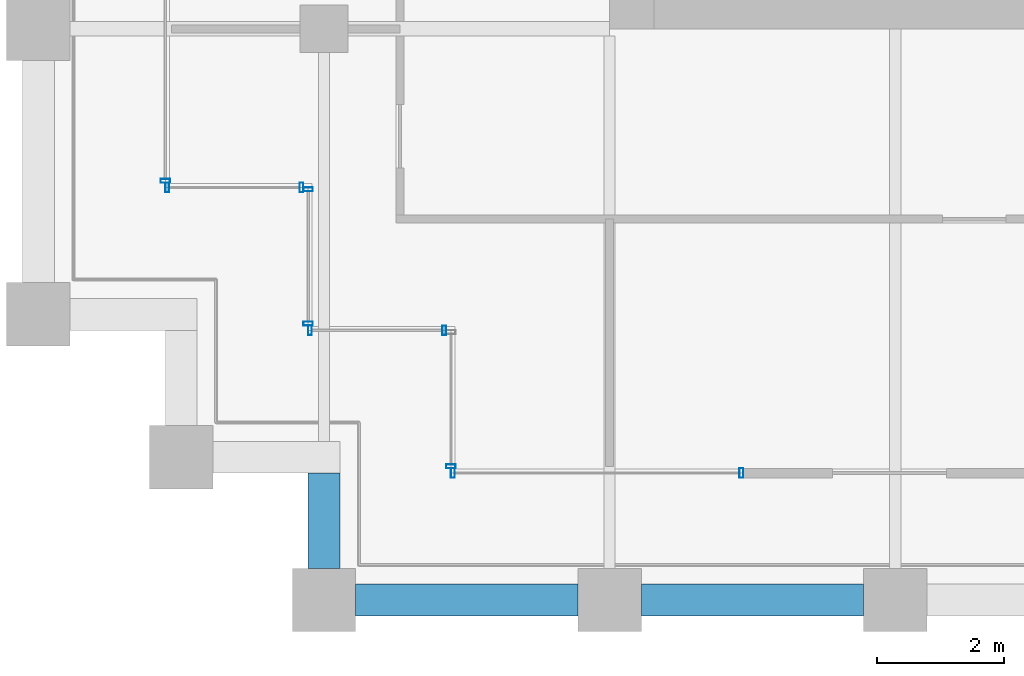
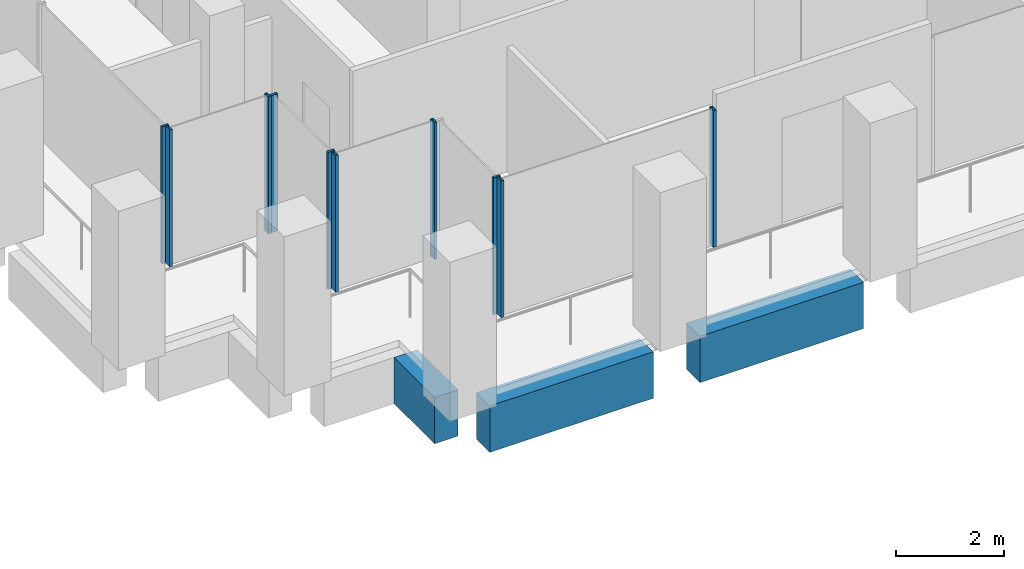
# One storey, part 28 of 46: 10 members, 3 beams, 6 elements without a shape of their own.
"""IFC4 building model written with IfcOpenShell, lengths in metres."""

from ifc_helpers import new_model, si_unit, direction, frame, origin, origin_2d, place, context, subcontext, project, spatial, rectangle, hollow_rectangle, extrude, material, material_profile, profile_set, type_object, element, aggregate, save


model = new_model("IFC4")

# Units and contexts
model_context = context("Model", 3, precision=1e-05, world=origin(), true_north=direction((0.0, 1.0)))
body_context = subcontext(model_context, "Body", "Model", "MODEL_VIEW")
ifc_project = project(units=[si_unit("LENGTHUNIT", "METRE"), si_unit("AREAUNIT", "SQUARE_METRE"), si_unit("VOLUMEUNIT", "CUBIC_METRE"), si_unit("PLANEANGLEUNIT", "RADIAN"), si_unit("MASSUNIT", "GRAM", prefix="KILO")], contexts=[model_context])

# Site, building, storey
site_placement = place(None, origin())
site = spatial("IfcSite", under=ifc_project, at=site_placement, CompositionType="ELEMENT")
building_placement = place(site_placement, origin())
building = spatial("IfcBuilding", under=site, at=building_placement, Name="Altepetl Exchange Towers", CompositionType="ELEMENT")
storey_placement = place(building_placement, frame((0.0, 0.0, 128.0)))
storey = spatial("IfcBuildingStorey", under=building, at=storey_placement, Name="L31", CompositionType="ELEMENT", Elevation=128.0)

# Curtain wall, member
ifc_material_1 = material(Name="Aluminium 6063-T6 glazing", Category="aluminium")
curtain_wall_type = type_object("IfcCurtainWallType", Name="Loggia glazing system", PredefinedType="NOTDEFINED", material=ifc_material_1)
curtain_wall_1_placement = place(storey_placement, origin())
curtain_wall_1 = element("IfcCurtainWall", 1, at=curtain_wall_1_placement, inside=storey, type_object=curtain_wall_type, Name="CW1 run", PredefinedType="NOTDEFINED")
ifc_material_2 = material(Name="Aluminium 6063-T6", Category="aluminium")
ifc_material_profile_1 = material_profile(ifc_material_2, hollow_rectangle(XDim=0.06005859375, YDim=0.14990234375, WallThickness=0.0029296875, at=origin_2d()), Name="Mullion 60x150 aluminium")
ifc_profile_set_1 = profile_set([ifc_material_profile_1], Name="Aluminium 6063-T6")
member_type = type_object("IfcMemberType", Name="Mullion 60x150 aluminium", PredefinedType="MULLION", material=ifc_profile_set_1)
member_1_placement = place(storey_placement, frame((96.5, 33.60498046875, 0.0), z_axis=(0.0, 0.0, 1.0), x_axis=(0.0, -1.0, 0.0)))
member_1 = element("IfcMember", 2, at=member_1_placement, type_object=member_type, Name="MU1 mullion", PredefinedType="MULLION", context=body_context, shape_type="SweptSolid", body=[
    extrude(hollow_rectangle(XDim=0.06005859375, YDim=0.14990234375, WallThickness=0.0029296875, at=origin_2d()), origin(), (0.0, 0.0, 1.0), 3.10009765625),
])
aggregate(curtain_wall_1, [member_1])

# Curtain wall, members
curtain_wall_2_placement = place(storey_placement, origin())
curtain_wall_2 = element("IfcCurtainWall", 3, at=curtain_wall_2_placement, inside=storey, type_object=curtain_wall_type, Name="CW1 run", PredefinedType="NOTDEFINED")
member_2_placement = place(storey_placement, frame((96.530029296875, 33.5, 0.0)))
member_2 = element("IfcMember", 4, at=member_2_placement, type_object=member_type, Name="MU1 mullion", PredefinedType="MULLION", context=body_context, shape_type="SweptSolid", body=[
    extrude(hollow_rectangle(XDim=0.06005859375, YDim=0.14990234375, WallThickness=0.0029296875, at=origin_2d()), origin(), (0.0, 0.0, 1.0), 3.10009765625),
])
member_3_placement = place(storey_placement, frame((98.64501953125, 33.5, 0.0)))
member_3 = element("IfcMember", 5, at=member_3_placement, type_object=member_type, Name="MU1 mullion", PredefinedType="MULLION", context=body_context, shape_type="SweptSolid", body=[
    extrude(hollow_rectangle(XDim=0.06005859375, YDim=0.14990234375, WallThickness=0.0029296875, at=origin_2d()), origin(), (0.0, 0.0, 1.0), 3.10009765625),
])
aggregate(curtain_wall_2, [member_2, member_3])

curtain_wall_3_placement = place(storey_placement, origin())
curtain_wall_3 = element("IfcCurtainWall", 6, at=curtain_wall_3_placement, inside=storey, type_object=curtain_wall_type, Name="CW1 run", PredefinedType="NOTDEFINED")
member_4_placement = place(storey_placement, frame((98.75, 33.469970703125, 0.0), z_axis=(0.0, 0.0, 1.0), x_axis=(0.0, -1.0, 0.0)))
member_4 = element("IfcMember", 7, at=member_4_placement, type_object=member_type, Name="MU1 mullion", PredefinedType="MULLION", context=body_context, shape_type="SweptSolid", body=[
    extrude(hollow_rectangle(XDim=0.06005859375, YDim=0.14990234375, WallThickness=0.0029296875, at=origin_2d()), origin(), (0.0, 0.0, 1.0), 3.10009765625),
])
member_5_placement = place(storey_placement, frame((98.75, 31.35498046875, 0.0), z_axis=(0.0, 0.0, 1.0), x_axis=(0.0, -1.0, 0.0)))
member_5 = element("IfcMember", 8, at=member_5_placement, type_object=member_type, Name="MU1 mullion", PredefinedType="MULLION", context=body_context, shape_type="SweptSolid", body=[
    extrude(hollow_rectangle(XDim=0.06005859375, YDim=0.14990234375, WallThickness=0.0029296875, at=origin_2d()), origin(), (0.0, 0.0, 1.0), 3.10009765625),
])
aggregate(curtain_wall_3, [member_4, member_5])

curtain_wall_4_placement = place(storey_placement, origin())
curtain_wall_4 = element("IfcCurtainWall", 9, at=curtain_wall_4_placement, inside=storey, type_object=curtain_wall_type, Name="CW1 run", PredefinedType="NOTDEFINED")
member_6_placement = place(storey_placement, frame((98.780029296875, 31.25, 0.0)))
member_6 = element("IfcMember", 10, at=member_6_placement, type_object=member_type, Name="MU1 mullion", PredefinedType="MULLION", context=body_context, shape_type="SweptSolid", body=[
    extrude(hollow_rectangle(XDim=0.06005859375, YDim=0.14990234375, WallThickness=0.0029296875, at=origin_2d()), origin(), (0.0, 0.0, 1.0), 3.10009765625),
])
member_7_placement = place(storey_placement, frame((100.89501953125, 31.25, 0.0)))
member_7 = element("IfcMember", 11, at=member_7_placement, type_object=member_type, Name="MU1 mullion", PredefinedType="MULLION", context=body_context, shape_type="SweptSolid", body=[
    extrude(hollow_rectangle(XDim=0.06005859375, YDim=0.14990234375, WallThickness=0.0029296875, at=origin_2d()), origin(), (0.0, 0.0, 1.0), 3.10009765625),
])
aggregate(curtain_wall_4, [member_6, member_7])

# Curtain wall, member
curtain_wall_5_placement = place(storey_placement, origin())
curtain_wall_5 = element("IfcCurtainWall", 12, at=curtain_wall_5_placement, inside=storey, type_object=curtain_wall_type, Name="CW1 run", PredefinedType="NOTDEFINED")
member_8_placement = place(storey_placement, frame((101.0, 29.10498046875, 0.0), z_axis=(0.0, 0.0, 1.0), x_axis=(0.0, -1.0, 0.0)))
member_8 = element("IfcMember", 13, at=member_8_placement, type_object=member_type, Name="MU1 mullion", PredefinedType="MULLION", context=body_context, shape_type="SweptSolid", body=[
    extrude(hollow_rectangle(XDim=0.06005859375, YDim=0.14990234375, WallThickness=0.0029296875, at=origin_2d()), origin(), (0.0, 0.0, 1.0), 3.10009765625),
])
aggregate(curtain_wall_5, [member_8])

# Curtain wall, members
curtain_wall_6_placement = place(storey_placement, origin())
curtain_wall_6 = element("IfcCurtainWall", 14, at=curtain_wall_6_placement, inside=storey, type_object=curtain_wall_type, Name="CW1 run", PredefinedType="NOTDEFINED")
member_9_placement = place(storey_placement, frame((101.030029296875, 29.0, 0.0)))
member_9 = element("IfcMember", 15, at=member_9_placement, type_object=member_type, Name="MU1 mullion", PredefinedType="MULLION", context=body_context, shape_type="SweptSolid", body=[
    extrude(hollow_rectangle(XDim=0.06005859375, YDim=0.14990234375, WallThickness=0.0029296875, at=origin_2d()), origin(), (0.0, 0.0, 1.0), 3.10009765625),
])
member_10_placement = place(storey_placement, frame((105.576171875, 29.0, 0.0)))
member_10 = element("IfcMember", 16, at=member_10_placement, type_object=member_type, Name="MU1 mullion", PredefinedType="MULLION", context=body_context, shape_type="SweptSolid", body=[
    extrude(hollow_rectangle(XDim=0.06005859375, YDim=0.14990234375, WallThickness=0.0029296875, at=origin_2d()), origin(), (0.0, 0.0, 1.0), 3.10009765625),
])
aggregate(curtain_wall_6, [member_9, member_10])

# Beams
ifc_material_3 = material(Name="Concrete C50/60 precast with tezontle facing", Category="concrete")
ifc_material_profile_2 = material_profile(ifc_material_3, rectangle(XDim=0.5, YDim=1.050048828125, at=origin_2d()), Name="500 x 1050")
ifc_profile_set_2 = profile_set([ifc_material_profile_2], Name="Concrete C50/60 precast with tezontle facing")
beam_type = type_object("IfcBeamType", Name="Spandrel beam 500x1050 tezontle", PredefinedType="SPANDREL", material=ifc_profile_set_2)
for number, where, z_axis, x_axis, name in (
    (17, (99.5, 27.0, -0.675048828125), (1.0, 0.0, 0.0), (0.0, 1.0, 0.0), "sp:B:L31:000"),
    (18, (104.0, 27.0, -0.675048828125), (1.0, 0.0, 0.0), (0.0, 1.0, 0.0), "sp:B:L31:001"),
):
    element("IfcBeam", number, at=place(storey_placement, frame(where, z_axis=z_axis, x_axis=x_axis)), inside=storey, type_object=beam_type, Name=name, PredefinedType="SPANDREL", context=body_context, shape_type="SweptSolid", body=[
        extrude(rectangle(XDim=0.5, YDim=1.050048828125, at=origin_2d()), origin(), (0.0, 0.0, 1.0), 3.5),
    ])
beam_placement = place(storey_placement, frame((99.0, 29.0, -0.675048828125), z_axis=(0.0, -1.0, 0.0), x_axis=(1.0, 0.0, 0.0)))
element("IfcBeam", 19, at=beam_placement, inside=storey, type_object=beam_type, Name="sp:B:L31:030", PredefinedType="SPANDREL", context=body_context, shape_type="SweptSolid", body=[
    extrude(rectangle(XDim=0.5, YDim=1.050048828125, at=origin_2d()), origin(), (0.0, 0.0, 1.0), 1.5),
])

save(model, "model.ifc")
